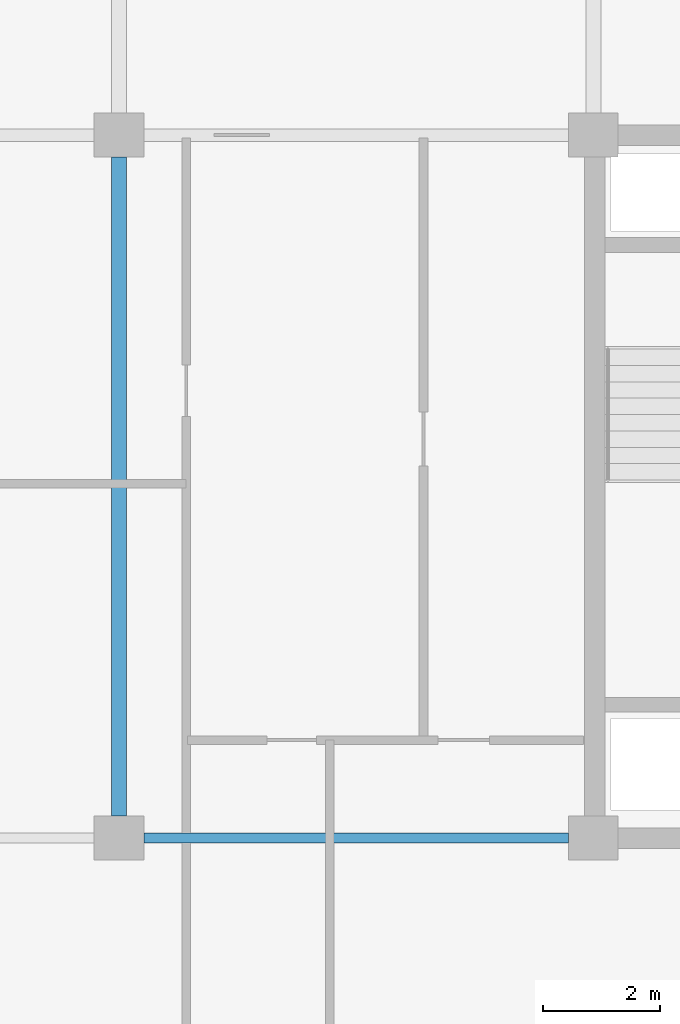
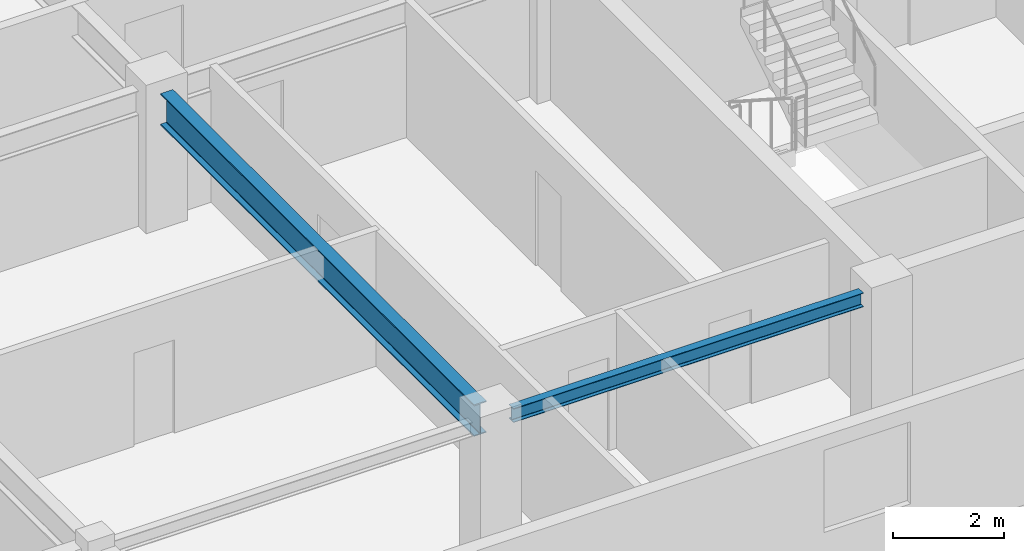
# One storey, part 3 of 32: 2 beams.
"""IFC4 building model written with IfcOpenShell, lengths in metres."""

from ifc_helpers import new_model, si_unit, direction, frame, origin, origin_2d, place, context, subcontext, project, spatial, i_section, extrude, material, material_profile, profile_set, type_object, element, save


model = new_model("IFC4")

# Units and contexts
model_context = context("Model", 3, precision=1e-05, world=origin(), true_north=direction((0.0, 1.0)))
body_context = subcontext(model_context, "Body", "Model", "MODEL_VIEW")
ifc_project = project(units=[si_unit("LENGTHUNIT", "METRE"), si_unit("AREAUNIT", "SQUARE_METRE"), si_unit("VOLUMEUNIT", "CUBIC_METRE"), si_unit("PLANEANGLEUNIT", "RADIAN"), si_unit("MASSUNIT", "GRAM", prefix="KILO")], contexts=[model_context])

# Site, building, storey
site_placement = place(None, origin())
site = spatial("IfcSite", under=ifc_project, at=site_placement, CompositionType="ELEMENT")
building_placement = place(site_placement, origin())
building = spatial("IfcBuilding", under=site, at=building_placement, Name="Korimba Cascade Residences", CompositionType="ELEMENT")
storey_placement = place(building_placement, frame((0.0, 0.0, 178.35009765625)))
storey = spatial("IfcBuildingStorey", under=building, at=storey_placement, Name="L51", CompositionType="ELEMENT", Elevation=178.35009765625)

# Beams
ifc_material = material(Name="Steel S355", Category="steel")
ifc_material_profile_1 = material_profile(ifc_material, i_section(OverallWidth=0.165771484375, OverallDepth=0.306640625, WebThickness=0.006591796875, FlangeThickness=0.01171875, FilletRadius=0.0087890625, at=origin_2d()), Name="Steel S355")
ifc_profile_set_1 = profile_set([ifc_material_profile_1], Name="Steel S355")
beam_type_1 = type_object("IfcBeamType", Name="BM-STL-UB305", PredefinedType="SPANDREL", material=ifc_profile_set_1)
beam_1_placement = place(storey_placement, frame((68.425048828125, 55.199951171875, 2.816650390625), z_axis=(1.0, 0.0, 0.0), x_axis=(0.0, 1.0, 0.0)))
element("IfcBeam", 1, at=beam_1_placement, inside=storey, type_object=beam_type_1, Name="L51 T1 E-W Girder Y1 Bay 2", PredefinedType="SPANDREL", context=body_context, shape_type="SweptSolid", body=[
    extrude(i_section(OverallWidth=0.165771484375, OverallDepth=0.306640625, WebThickness=0.006591796875, FlangeThickness=0.01171875, FilletRadius=0.0087890625, at=origin_2d()), origin(), (0.0, 0.0, 1.0), 7.25),
])
ifc_material_profile_2 = material_profile(ifc_material, i_section(OverallWidth=0.255859375, OverallDepth=0.69287109375, WebThickness=0.014404296875, FlangeThickness=0.023681640625, FilletRadius=0.01513671875, at=origin_2d()), Name="Steel S355")
ifc_profile_set_2 = profile_set([ifc_material_profile_2], Name="Steel S355")
beam_type_2 = type_object("IfcBeamType", Name="BM-STL-UB686", PredefinedType="BEAM", material=ifc_profile_set_2)
beam_2_placement = place(storey_placement, frame((68.0, 55.574951171875, 2.623291015625), z_axis=(0.0, 1.0, 0.0), x_axis=(-1.0, 0.0, 0.0)))
element("IfcBeam", 2, at=beam_2_placement, inside=storey, type_object=beam_type_2, Name="L51 T1 N-S Girder X2 Seg 1", PredefinedType="BEAM", context=body_context, shape_type="SweptSolid", body=[
    extrude(i_section(OverallWidth=0.255859375, OverallDepth=0.69287109375, WebThickness=0.014404296875, FlangeThickness=0.023681640625, FilletRadius=0.01513671875, at=origin_2d()), origin(), (0.0, 0.0, 1.0), 11.25),
])

save(model, "model.ifc")
